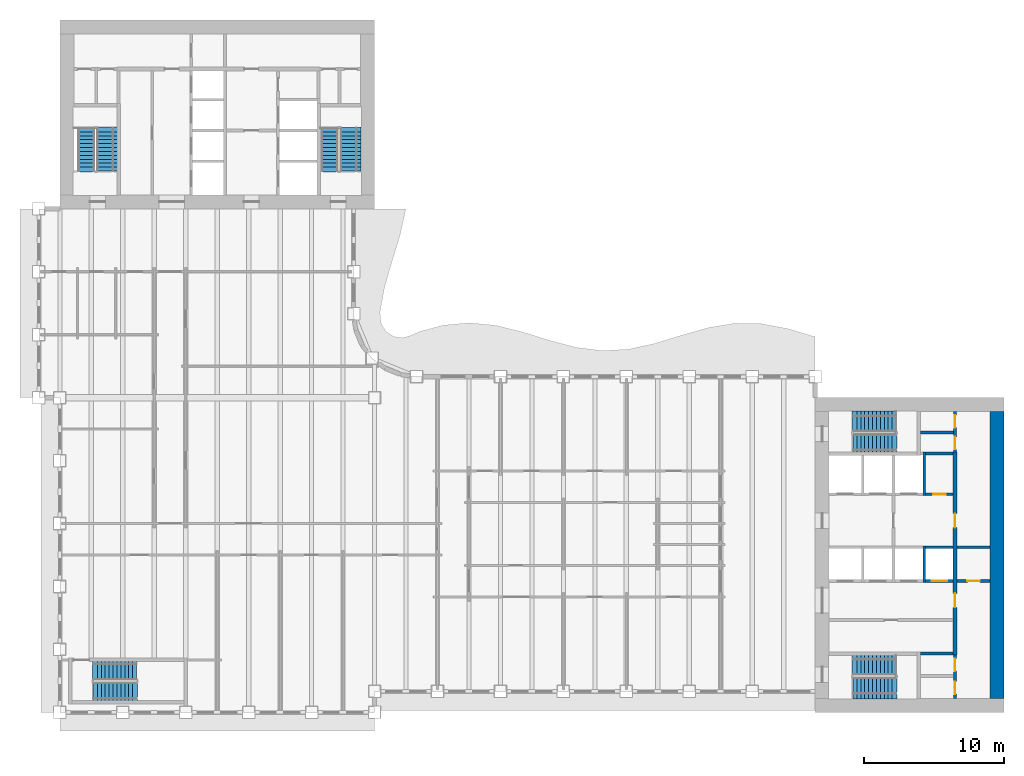
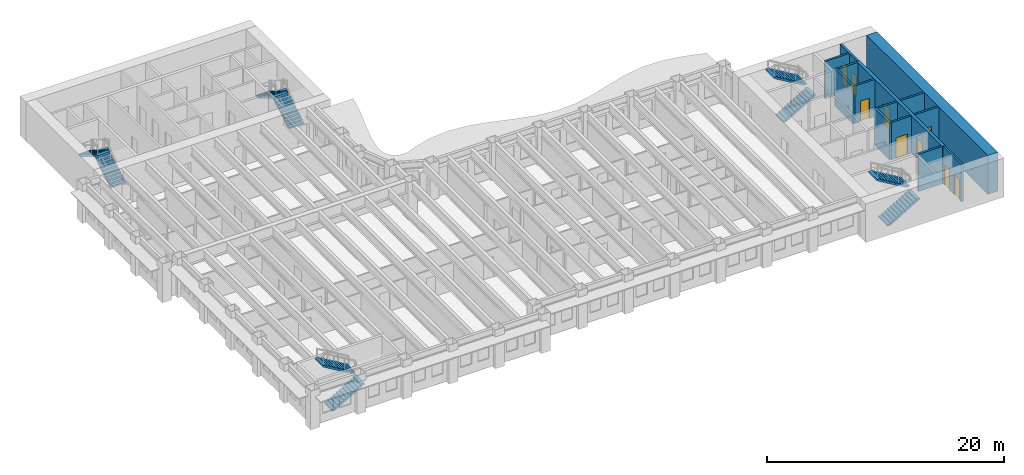
# One storey, part 10 of 16: 14 walls, 10 stair flights, 9 doors, 9 openings, 5 elements without a shape of their own.
"""IFC4 building model written with IfcOpenShell, lengths in metres."""

from ifc_helpers import new_model, si_unit, direction, frame, frame_2d, origin, place, context, subcontext, project, spatial, polyline, rectangle, outline, extrude, material, layer, layer_set, type_object, element, fill, aggregate, save


model = new_model("IFC4")

# Units and contexts
model_context = context("Model", 3, precision=1e-05, world=origin(), true_north=direction((0.0, 1.0)))
body_context = subcontext(model_context, "Body", "Model", "MODEL_VIEW")
ifc_project = project(units=[si_unit("LENGTHUNIT", "METRE"), si_unit("AREAUNIT", "SQUARE_METRE"), si_unit("VOLUMEUNIT", "CUBIC_METRE"), si_unit("PLANEANGLEUNIT", "RADIAN"), si_unit("MASSUNIT", "GRAM", prefix="KILO")], contexts=[model_context])

# Site, building, storey
site_placement = place(None, origin())
site = spatial("IfcSite", under=ifc_project, at=site_placement, CompositionType="ELEMENT")
building_placement = place(site_placement, origin())
building = spatial("IfcBuilding", under=site, at=building_placement, Name="Sennacour Bend Tower", CompositionType="ELEMENT")
storey_placement = place(building_placement, frame((0.0, 0.0, 175.0)))
storey = spatial("IfcBuildingStorey", under=building, at=storey_placement, Name="L40", CompositionType="ELEMENT", Elevation=175.0)

# Wall
ifc_material_1 = material(Name="Concrete C60/75", Category="concrete")
ifc_layer_1 = layer(ifc_material_1, 1.0, Name="Concrete C60/75", Category="concrete")
ifc_layer_set_1 = layer_set([ifc_layer_1], Name="Concrete C60/75")
wall_type_1 = type_object("IfcWallType", Name="Core wall 1000 C60/75", PredefinedType="SHEAR", material=ifc_layer_set_1)
wall_1_placement = place(storey_placement, frame((67.0, 1.0, -0.14990234375), z_axis=(0.0, 0.0, 1.0), x_axis=(0.0, 1.0, 0.0)))
element("IfcWall", 1, at=wall_1_placement, inside=storey, type_object=wall_type_1, Name="Core A wall L40 E", PredefinedType="SHEAR", context=body_context, shape_type="SweptSolid", body=[
    extrude(rectangle(XDim=20.5, YDim=1.0, at=frame_2d((10.25, 0.0))), origin(), (0.0, 0.0, 1.0), 4.0),
])

# Wall, openings, doors
ifc_material_2 = material(Name="Fire-rated plasterboard partition on steel studs", Category="steel")
ifc_layer_2 = layer(ifc_material_2, 0.199951171875, Name="Fire-rated plasterboard partition on steel studs", Category="steel")
ifc_layer_set_2 = layer_set([ifc_layer_2], Name="Fire-rated plasterboard partition on steel studs")
wall_type_2 = type_object("IfcWallType", Name="Rated partition 200", PredefinedType="PARTITIONING", material=ifc_layer_set_2)
wall_2_placement = place(storey_placement, frame((64.0, 1.0, 0.0), z_axis=(0.0, 0.0, 1.0), x_axis=(0.0, 1.0, 0.0)))
wall_2 = element("IfcWall", 2, at=wall_2_placement, inside=storey, type_object=wall_type_2, Name="P-L40-W047", PredefinedType="PARTITIONING", context=body_context, shape_type="SweptSolid", body=[
    extrude(rectangle(XDim=3.10009765625, YDim=0.199951171875, at=frame_2d((1.550048828125, 0.0))), origin(), (0.0, 0.0, 1.0), 3.85009765625),
])
opening_1_placement = place(wall_2_placement, frame((0.300048828125, 0.0, 0.0)))
opening_1 = element("IfcOpeningElement", 3, at=opening_1_placement, cuts=wall_2, Name="Opening SV", PredefinedType="OPENING", context=body_context, shape_type="SweptSolid", body=[
    extrude(rectangle(XDim=0.89990234375, YDim=2.10009765625, at=frame_2d((0.449951171875, 1.050048828125))), frame((0.0, 0.10986328125, 0.0), z_axis=(0.0, -1.0, 0.0), x_axis=(1.0, 0.0, 0.0)), (0.0, 0.0, 1.0), 0.219970703125),
])
opening_2_placement = place(wall_2_placement, frame((1.949951171875, 0.0, 0.0)))
opening_2 = element("IfcOpeningElement", 4, at=opening_2_placement, cuts=wall_2, Name="Opening WD", PredefinedType="OPENING", context=body_context, shape_type="SweptSolid", body=[
    extrude(rectangle(XDim=0.89990234375, YDim=2.10009765625, at=frame_2d((0.449951171875, 1.050048828125))), frame((0.0, 0.10986328125, 0.0), z_axis=(0.0, -1.0, 0.0), x_axis=(1.0, 0.0, 0.0)), (0.0, 0.0, 1.0), 0.219970703125),
])
ifc_material_3 = material(Name="Painted steel", Category="steel")
door_type_1 = type_object("IfcDoorType", Name="DR-SERVICE-900", OperationType="NOTDEFINED", PredefinedType="DOOR", material=ifc_material_3)
door_1_placement = place(opening_1_placement, origin())
door_1 = element("IfcDoor", 5, at=door_1_placement, inside=storey, type_object=door_type_1, Name="Door", OperationType="SINGLE_SWING_LEFT", OverallHeight=2.10009765625, OverallWidth=0.89990234375, PredefinedType="DOOR", context=body_context, shape_type="SweptSolid", body=[
    extrude(rectangle(XDim=0.89990234375, YDim=2.10009765625, at=frame_2d((0.449951171875, 1.050048828125))), frame((0.0, 0.02490234375, 0.0), z_axis=(0.0, -1.0, 0.0), x_axis=(1.0, 0.0, 0.0)), (0.0, 0.0, 1.0), 0.050048828125),
])
fill(opening_1, door_1)
ifc_material_4 = material(Name="Timber", Category="wood")
door_type_2 = type_object("IfcDoorType", Name="DR-WC-900", OperationType="NOTDEFINED", PredefinedType="DOOR", material=ifc_material_4)
door_2_placement = place(opening_2_placement, origin())
door_2 = element("IfcDoor", 6, at=door_2_placement, inside=storey, type_object=door_type_2, Name="Door", OperationType="SINGLE_SWING_RIGHT", OverallHeight=2.10009765625, OverallWidth=0.89990234375, PredefinedType="DOOR", context=body_context, shape_type="SweptSolid", body=[
    extrude(rectangle(XDim=0.89990234375, YDim=2.10009765625, at=frame_2d((0.449951171875, 1.050048828125))), frame((0.0, 0.02490234375, 0.0), z_axis=(0.0, -1.0, 0.0), x_axis=(1.0, 0.0, 0.0)), (0.0, 0.0, 1.0), 0.050048828125),
])
fill(opening_2, door_2)

wall_3_placement = place(storey_placement, frame((64.0, 18.60009765625, 0.0), z_axis=(0.0, 0.0, 1.0), x_axis=(0.0, 1.0, 0.0)))
wall_3 = element("IfcWall", 7, at=wall_3_placement, inside=storey, type_object=wall_type_2, Name="P-L40-W049", PredefinedType="PARTITIONING", context=body_context, shape_type="SweptSolid", body=[
    extrude(rectangle(XDim=2.89990234375, YDim=0.199951171875, at=frame_2d((1.449951171875, 0.0))), origin(), (0.0, 0.0, 1.0), 3.85009765625),
])
opening_3_placement = place(wall_3_placement, frame((0.199951171875, 0.0, 0.0)))
opening_3 = element("IfcOpeningElement", 8, at=opening_3_placement, cuts=wall_3, Name="Opening SV", PredefinedType="OPENING", context=body_context, shape_type="SweptSolid", body=[
    extrude(rectangle(XDim=0.89990234375, YDim=2.10009765625, at=frame_2d((0.449951171875, 1.050048828125))), frame((0.0, 0.10986328125, 0.0), z_axis=(0.0, -1.0, 0.0), x_axis=(1.0, 0.0, 0.0)), (0.0, 0.0, 1.0), 0.219970703125),
])
opening_4_placement = place(wall_3_placement, frame((1.75, 0.0, 0.0)))
opening_4 = element("IfcOpeningElement", 9, at=opening_4_placement, cuts=wall_3, Name="Opening SV", PredefinedType="OPENING", context=body_context, shape_type="SweptSolid", body=[
    extrude(rectangle(XDim=0.89990234375, YDim=2.10009765625, at=frame_2d((0.449951171875, 1.050048828125))), frame((0.0, 0.10986328125, 0.0), z_axis=(0.0, -1.0, 0.0), x_axis=(1.0, 0.0, 0.0)), (0.0, 0.0, 1.0), 0.219970703125),
])
door_3_placement = place(opening_3_placement, origin())
door_3 = element("IfcDoor", 10, at=door_3_placement, inside=storey, type_object=door_type_1, Name="Door", OperationType="SINGLE_SWING_LEFT", OverallHeight=2.10009765625, OverallWidth=0.89990234375, PredefinedType="DOOR", context=body_context, shape_type="SweptSolid", body=[
    extrude(rectangle(XDim=0.89990234375, YDim=2.10009765625, at=frame_2d((0.449951171875, 1.050048828125))), frame((0.0, 0.02490234375, 0.0), z_axis=(0.0, -1.0, 0.0), x_axis=(1.0, 0.0, 0.0)), (0.0, 0.0, 1.0), 0.050048828125),
])
fill(opening_3, door_3)
door_4_placement = place(opening_4_placement, origin())
door_4 = element("IfcDoor", 11, at=door_4_placement, inside=storey, type_object=door_type_1, Name="Door", OperationType="SINGLE_SWING_RIGHT", OverallHeight=2.10009765625, OverallWidth=0.89990234375, PredefinedType="DOOR", context=body_context, shape_type="SweptSolid", body=[
    extrude(rectangle(XDim=0.89990234375, YDim=2.10009765625, at=frame_2d((0.449951171875, 1.050048828125))), frame((0.0, 0.02490234375, 0.0), z_axis=(0.0, -1.0, 0.0), x_axis=(1.0, 0.0, 0.0)), (0.0, 0.0, 1.0), 0.050048828125),
])
fill(opening_4, door_4)

# Wall
wall_4_placement = place(storey_placement, frame((61.52490234375, 4.199951171875, 0.0), z_axis=(0.0, 0.0, 1.0), x_axis=(1.0, 0.0, 0.0)))
element("IfcWall", 12, at=wall_4_placement, inside=storey, type_object=wall_type_2, Name="P-L40-W058", PredefinedType="PARTITIONING", context=body_context, shape_type="SweptSolid", body=[
    extrude(rectangle(XDim=2.3251953125, YDim=0.199951171875, at=frame_2d((1.16259765625, 0.0))), origin(), (0.0, 0.0, 1.0), 3.85009765625),
])

# Wall, opening, door
wall_5_placement = place(storey_placement, frame((64.14990234375, 9.39990234375, 0.0), z_axis=(0.0, 0.0, 1.0), x_axis=(1.0, 0.0, 0.0)))
wall_5 = element("IfcWall", 13, at=wall_5_placement, inside=storey, type_object=wall_type_2, Name="P-L40-W062", PredefinedType="PARTITIONING", context=body_context, shape_type="SweptSolid", body=[
    extrude(rectangle(XDim=2.35009765625, YDim=0.199951171875, at=frame_2d((1.175048828125, 0.0))), origin(), (0.0, 0.0, 1.0), 3.85009765625),
])
opening_5_placement = place(wall_5_placement, frame((0.72509765625, 0.0, 0.0)))
opening_5 = element("IfcOpeningElement", 14, at=opening_5_placement, cuts=wall_5, Name="Opening SV", PredefinedType="OPENING", context=body_context, shape_type="SweptSolid", body=[
    extrude(rectangle(XDim=0.89990234375, YDim=2.10009765625, at=frame_2d((0.449951171875, 1.050048828125))), frame((0.0, 0.10986328125, 0.0), z_axis=(0.0, -1.0, 0.0), x_axis=(1.0, 0.0, 0.0)), (0.0, 0.0, 1.0), 0.219970703125),
])
door_5_placement = place(opening_5_placement, origin())
door_5 = element("IfcDoor", 15, at=door_5_placement, inside=storey, type_object=door_type_1, Name="Door", OperationType="SINGLE_SWING_LEFT", OverallHeight=2.10009765625, OverallWidth=0.89990234375, PredefinedType="DOOR", context=body_context, shape_type="SweptSolid", body=[
    extrude(rectangle(XDim=0.89990234375, YDim=2.10009765625, at=frame_2d((0.449951171875, 1.050048828125))), frame((0.0, 0.02490234375, 0.0), z_axis=(0.0, -1.0, 0.0), x_axis=(1.0, 0.0, 0.0)), (0.0, 0.0, 1.0), 0.050048828125),
])
fill(opening_5, door_5)

# Wall
wall_6_placement = place(storey_placement, frame((64.14990234375, 11.800048828125, 0.0), z_axis=(0.0, 0.0, 1.0), x_axis=(1.0, 0.0, 0.0)))
element("IfcWall", 16, at=wall_6_placement, inside=storey, type_object=wall_type_2, Name="P-L40-W066", PredefinedType="PARTITIONING", context=body_context, shape_type="SweptSolid", body=[
    extrude(rectangle(XDim=2.35009765625, YDim=0.199951171875, at=frame_2d((1.175048828125, 0.0))), origin(), (0.0, 0.0, 1.0), 3.85009765625),
])

# Wall, opening, door
wall_7_placement = place(storey_placement, frame((61.89990234375, 15.60009765625, 0.0), z_axis=(0.0, 0.0, 1.0), x_axis=(1.0, 0.0, 0.0)))
wall_7 = element("IfcWall", 17, at=wall_7_placement, inside=storey, type_object=wall_type_2, Name="P-L40-W072", PredefinedType="PARTITIONING", context=body_context, shape_type="SweptSolid", body=[
    extrude(rectangle(XDim=1.9501953125, YDim=0.199951171875, at=frame_2d((0.97509765625, 0.0))), origin(), (0.0, 0.0, 1.0), 3.85009765625),
])
opening_6_placement = place(wall_7_placement, frame((0.525146484375, 0.0, 0.0)))
opening_6 = element("IfcOpeningElement", 18, at=opening_6_placement, cuts=wall_7, Name="Opening SV", PredefinedType="OPENING", context=body_context, shape_type="SweptSolid", body=[
    extrude(rectangle(XDim=0.89990234375, YDim=2.10009765625, at=frame_2d((0.449951171875, 1.050048828125))), frame((0.0, 0.10986328125, 0.0), z_axis=(0.0, -1.0, 0.0), x_axis=(1.0, 0.0, 0.0)), (0.0, 0.0, 1.0), 0.219970703125),
])
door_6_placement = place(opening_6_placement, origin())
door_6 = element("IfcDoor", 19, at=door_6_placement, inside=storey, type_object=door_type_1, Name="Door", OperationType="SINGLE_SWING_LEFT", OverallHeight=2.10009765625, OverallWidth=0.89990234375, PredefinedType="DOOR", context=body_context, shape_type="SweptSolid", body=[
    extrude(rectangle(XDim=0.89990234375, YDim=2.10009765625, at=frame_2d((0.449951171875, 1.050048828125))), frame((0.0, 0.02490234375, 0.0), z_axis=(0.0, -1.0, 0.0), x_axis=(1.0, 0.0, 0.0)), (0.0, 0.0, 1.0), 0.050048828125),
])
fill(opening_6, door_6)

# Walls
wall_8_placement = place(storey_placement, frame((61.89990234375, 18.5, 0.0), z_axis=(0.0, 0.0, 1.0), x_axis=(1.0, 0.0, 0.0)))
element("IfcWall", 20, at=wall_8_placement, inside=storey, type_object=wall_type_2, Name="P-L40-W076", PredefinedType="PARTITIONING", context=body_context, shape_type="SweptSolid", body=[
    extrude(rectangle(XDim=1.9501953125, YDim=0.199951171875, at=frame_2d((0.97509765625, 0.0))), origin(), (0.0, 0.0, 1.0), 3.85009765625),
])
wall_9_placement = place(storey_placement, frame((61.52490234375, 20.0, 0.0), z_axis=(0.0, 0.0, 1.0), x_axis=(1.0, 0.0, 0.0)))
element("IfcWall", 21, at=wall_9_placement, inside=storey, type_object=wall_type_2, Name="P-L40-W077", PredefinedType="PARTITIONING", context=body_context, shape_type="SweptSolid", body=[
    extrude(rectangle(XDim=2.375, YDim=0.199951171875, at=frame_2d((1.1875, 0.0))), origin(), (0.0, 0.0, 1.0), 3.85009765625),
])
ifc_material_5 = material(Name="Concrete C50/60", Category="concrete")
ifc_layer_3 = layer(ifc_material_5, 0.199951171875, Name="Concrete C50/60", Category="concrete")
ifc_layer_set_3 = layer_set([ifc_layer_3], Name="Concrete C50/60")
wall_type_3 = type_object("IfcWallType", Name="Shaft wall 200", PredefinedType="SOLIDWALL", material=ifc_layer_set_3)
wall_10_placement = place(storey_placement, frame((61.800048828125, 9.300048828125, 0.0), z_axis=(0.0, 0.0, 1.0), x_axis=(0.0, 1.0, 0.0)))
element("IfcWall", 22, at=wall_10_placement, inside=storey, type_object=wall_type_3, Name="P-L40-W045", PredefinedType="SOLIDWALL", context=body_context, shape_type="SweptSolid", body=[
    extrude(rectangle(XDim=2.599853515625, YDim=0.199951171875, at=frame_2d((1.2998046875, 0.0))), origin(), (0.0, 0.0, 1.0), 3.85009765625),
])
wall_11_placement = place(storey_placement, frame((61.800048828125, 15.5, 0.0), z_axis=(0.0, 0.0, 1.0), x_axis=(0.0, 1.0, 0.0)))
element("IfcWall", 23, at=wall_11_placement, inside=storey, type_object=wall_type_3, Name="P-L40-W046", PredefinedType="SOLIDWALL", context=body_context, shape_type="SweptSolid", body=[
    extrude(rectangle(XDim=3.10009765625, YDim=0.199951171875, at=frame_2d((1.550048828125, 0.0))), origin(), (0.0, 0.0, 1.0), 3.85009765625),
])

# Wall, opening, door
wall_12_placement = place(storey_placement, frame((61.89990234375, 9.39990234375, 0.0), z_axis=(0.0, 0.0, 1.0), x_axis=(1.0, 0.0, 0.0)))
wall_12 = element("IfcWall", 24, at=wall_12_placement, inside=storey, type_object=wall_type_3, Name="P-L40-W061d", PredefinedType="SOLIDWALL", context=body_context, shape_type="SweptSolid", body=[
    extrude(rectangle(XDim=1.9501953125, YDim=0.199951171875, at=frame_2d((0.97509765625, 0.0))), origin(), (0.0, 0.0, 1.0), 3.85009765625),
])
opening_7_placement = place(wall_12_placement, frame((0.425048828125, 0.0, 0.011962890625)))
opening_7 = element("IfcOpeningElement", 25, at=opening_7_placement, cuts=wall_12, Name="Opening LD", PredefinedType="OPENING", context=body_context, shape_type="SweptSolid", body=[
    extrude(rectangle(XDim=1.10009765625, YDim=2.10009765625, at=frame_2d((0.550048828125, 1.050048828125))), frame((0.0, 0.10986328125, 0.0), z_axis=(0.0, -1.0, 0.0), x_axis=(1.0, 0.0, 0.0)), (0.0, 0.0, 1.0), 0.219970703125),
])
ifc_material_6 = material(Name="Stainless steel", Category="steel")
door_type_3 = type_object("IfcDoorType", Name="DR-LANDING-1100", OperationType="NOTDEFINED", PredefinedType="DOOR", material=ifc_material_6)
door_7_placement = place(opening_7_placement, origin())
door_7 = element("IfcDoor", 26, at=door_7_placement, inside=storey, type_object=door_type_3, Name="Lift landing door HA4", OperationType="SLIDING_TO_RIGHT", OverallHeight=2.10009765625, OverallWidth=1.10009765625, PredefinedType="DOOR", context=body_context, shape_type="SweptSolid", body=[
    extrude(rectangle(XDim=1.10009765625, YDim=2.10009765625, at=frame_2d((0.550048828125, 1.050048828125))), frame((0.0, 0.02490234375, 0.0), z_axis=(0.0, -1.0, 0.0), x_axis=(1.0, 0.0, 0.0)), (0.0, 0.0, 1.0), 0.050048828125),
])
fill(opening_7, door_7)

# Wall
wall_13_placement = place(storey_placement, frame((61.89990234375, 11.800048828125, 0.0), z_axis=(0.0, 0.0, 1.0), x_axis=(1.0, 0.0, 0.0)))
element("IfcWall", 27, at=wall_13_placement, inside=storey, type_object=wall_type_3, Name="P-L40-W065d", PredefinedType="SOLIDWALL", context=body_context, shape_type="SweptSolid", body=[
    extrude(rectangle(XDim=1.9501953125, YDim=0.199951171875, at=frame_2d((0.97509765625, 0.0))), origin(), (0.0, 0.0, 1.0), 3.85009765625),
])

# Wall, openings, doors
ifc_layer_4 = layer(ifc_material_1, 0.300048828125, Name="Concrete C60/75", Category="concrete")
ifc_layer_set_4 = layer_set([ifc_layer_4], Name="Concrete C60/75")
wall_type_4 = type_object("IfcWallType", Name="Spine wall 300", PredefinedType="SHEAR", material=ifc_layer_set_4)
wall_14_placement = place(storey_placement, frame((64.0, 4.10009765625, 0.0), z_axis=(0.0, 0.0, 1.0), x_axis=(0.0, 1.0, 0.0)))
wall_14 = element("IfcWall", 28, at=wall_14_placement, inside=storey, type_object=wall_type_4, Name="P-L40-W048", PredefinedType="SHEAR", context=body_context, shape_type="SweptSolid", body=[
    extrude(rectangle(XDim=14.5, YDim=0.300048828125, at=frame_2d((7.25, 0.0))), origin(), (0.0, 0.0, 1.0), 3.85009765625),
])
opening_8_placement = place(wall_14_placement, frame((3.39990234375, 0.0, 0.0)))
opening_8 = element("IfcOpeningElement", 29, at=opening_8_placement, cuts=wall_14, Name="Opening CD2", PredefinedType="OPENING", context=body_context, shape_type="SweptSolid", body=[
    extrude(rectangle(XDim=1.0, YDim=2.10009765625, at=frame_2d((0.5, 1.050048828125))), frame((0.0, 0.16015625, 0.0), z_axis=(0.0, -1.0, 0.0), x_axis=(1.0, 0.0, 0.0)), (0.0, 0.0, 1.0), 0.320068359375),
])
opening_9_placement = place(wall_14_placement, frame((9.099853515625, 0.0, 0.0)))
opening_9 = element("IfcOpeningElement", 30, at=opening_9_placement, cuts=wall_14, Name="Opening CD2", PredefinedType="OPENING", context=body_context, shape_type="SweptSolid", body=[
    extrude(rectangle(XDim=1.0, YDim=2.10009765625, at=frame_2d((0.5, 1.050048828125))), frame((0.0, 0.16015625, 0.0), z_axis=(0.0, -1.0, 0.0), x_axis=(1.0, 0.0, 0.0)), (0.0, 0.0, 1.0), 0.320068359375),
])
door_type_4 = type_object("IfcDoorType", Name="DR-LOBBY-1000", OperationType="NOTDEFINED", PredefinedType="DOOR", material=ifc_material_3)
door_8_placement = place(opening_8_placement, origin())
door_8 = element("IfcDoor", 31, at=door_8_placement, inside=storey, type_object=door_type_4, Name="Door", OperationType="SINGLE_SWING_LEFT", OverallHeight=2.10009765625, OverallWidth=1.0, PredefinedType="DOOR", context=body_context, shape_type="SweptSolid", body=[
    extrude(rectangle(XDim=1.0, YDim=2.10009765625, at=frame_2d((0.5, 1.050048828125))), frame((0.0, 0.02490234375, 0.0), z_axis=(0.0, -1.0, 0.0), x_axis=(1.0, 0.0, 0.0)), (0.0, 0.0, 1.0), 0.050048828125),
])
fill(opening_8, door_8)
door_9_placement = place(opening_9_placement, origin())
door_9 = element("IfcDoor", 32, at=door_9_placement, inside=storey, type_object=door_type_4, Name="Door", OperationType="SINGLE_SWING_RIGHT", OverallHeight=2.10009765625, OverallWidth=1.0, PredefinedType="DOOR", context=body_context, shape_type="SweptSolid", body=[
    extrude(rectangle(XDim=1.0, YDim=2.10009765625, at=frame_2d((0.5, 1.050048828125))), frame((0.0, 0.02490234375, 0.0), z_axis=(0.0, -1.0, 0.0), x_axis=(1.0, 0.0, 0.0)), (0.0, 0.0, 1.0), 0.050048828125),
])
fill(opening_9, door_9)

# Stair, stair flights
ifc_material_7 = material(Name="Concrete C40/50", Category="concrete")
stair_type = type_object("IfcStairType", Name="ST-DOGLEG", PredefinedType="HALF_TURN_STAIR", material=ifc_material_7)
stair_1_placement = place(storey_placement, origin())
stair_1 = element("IfcStair", 33, at=stair_1_placement, inside=storey, type_object=stair_type, Name="L40 Exit stair A1", PredefinedType="HALF_TURN_STAIR")
stair_flight_type = type_object("IfcStairFlightType", Name="SFL-RC", PredefinedType="STRAIGHT", material=ifc_material_7)
stair_flight_1_placement = place(storey_placement, frame((56.699951171875, 1.735107421875, 0.0), z_axis=(0.0, 0.0, 1.0), x_axis=(1.0, 0.0, 0.0)))
stair_flight_1 = element("IfcStairFlight", 34, at=stair_flight_1_placement, type_object=stair_flight_type, Name="SA1 flight 1", NumberOfRisers=12, NumberOfTreads=11, PredefinedType="STRAIGHT", RiserHeight=0.166666667, TreadLength=0.28, context=body_context, shape_type="SweptSolid", body=[
    extrude(outline(polyline([(0.0, 0.0), (0.0, 0.166748046875), (0.280029296875, 0.166748046875), (0.280029296875, 0.333251953125), (0.56005859375, 0.333251953125), (0.56005859375, 0.5), (0.840087890625, 0.5), (0.840087890625, 0.666748046875), (1.1201171875, 0.666748046875), (1.1201171875, 0.833251953125), (1.39990234375, 0.833251953125), (1.39990234375, 1.0), (1.679931640625, 1.0), (1.679931640625, 1.166748046875), (1.9599609375, 1.166748046875), (1.9599609375, 1.333251953125), (2.239990234375, 1.333251953125), (2.239990234375, 1.5), (2.52001953125, 1.5), (2.52001953125, 1.666748046875), (2.800048828125, 1.666748046875), (2.800048828125, 1.833251953125), (3.080078125, 1.833251953125), (3.139892578125, 1.833251953125), (3.139892578125, 1.658935546875), (3.080078125, 1.658935546875), (0.29296875, 0.0), (0.0, 0.0)])), frame((0.0, 0.76513671875, 0.0), z_axis=(0.0, -1.0, 0.0), x_axis=(1.0, 0.0, 0.0)), (0.0, 0.0, 1.0), 1.530029296875),
])
stair_flight_2_placement = place(storey_placement, frame((59.780029296875, 3.37744140625, 2.0), z_axis=(0.0, 0.0, 1.0), x_axis=(-1.0, 0.0, 0.0)))
stair_flight_2 = element("IfcStairFlight", 35, at=stair_flight_2_placement, type_object=stair_flight_type, Name="SA1 flight 2", NumberOfRisers=12, NumberOfTreads=11, PredefinedType="STRAIGHT", RiserHeight=0.166666667, TreadLength=0.28, context=body_context, shape_type="SweptSolid", body=[
    extrude(outline(polyline([(0.0, 0.0), (0.0, 0.166748046875), (0.280029296875, 0.166748046875), (0.280029296875, 0.333251953125), (0.56005859375, 0.333251953125), (0.56005859375, 0.5), (0.840087890625, 0.5), (0.840087890625, 0.666748046875), (1.1201171875, 0.666748046875), (1.1201171875, 0.833251953125), (1.39990234375, 0.833251953125), (1.39990234375, 1.0), (1.679931640625, 1.0), (1.679931640625, 1.166748046875), (1.9599609375, 1.166748046875), (1.9599609375, 1.333251953125), (2.239990234375, 1.333251953125), (2.239990234375, 1.5), (2.52001953125, 1.5), (2.52001953125, 1.666748046875), (2.800048828125, 1.666748046875), (2.800048828125, 1.833251953125), (3.080078125, 1.833251953125), (3.139892578125, 1.833251953125), (3.139892578125, 1.658935546875), (3.080078125, 1.658935546875), (0.29296875, 0.0), (0.0, 0.0)])), frame((0.0, 0.7275390625, 0.0), z_axis=(0.0, -1.0, 0.0), x_axis=(1.0, 0.0, 0.0)), (0.0, 0.0, 1.0), 1.455078125),
])
aggregate(stair_1, [stair_flight_1, stair_flight_2])

stair_2_placement = place(storey_placement, origin())
stair_2 = element("IfcStair", 36, at=stair_2_placement, inside=storey, type_object=stair_type, Name="L40 Exit stair A2", PredefinedType="HALF_TURN_STAIR")
stair_flight_3_placement = place(storey_placement, frame((56.699951171875, 19.24755859375, 0.0), z_axis=(0.0, 0.0, 1.0), x_axis=(1.0, 0.0, 0.0)))
stair_flight_3 = element("IfcStairFlight", 37, at=stair_flight_3_placement, type_object=stair_flight_type, Name="SA2 flight 1", NumberOfRisers=12, NumberOfTreads=11, PredefinedType="STRAIGHT", RiserHeight=0.166666667, TreadLength=0.28, context=body_context, shape_type="SweptSolid", body=[
    extrude(outline(polyline([(0.0, 0.0), (0.0, 0.166748046875), (0.280029296875, 0.166748046875), (0.280029296875, 0.333251953125), (0.56005859375, 0.333251953125), (0.56005859375, 0.5), (0.840087890625, 0.5), (0.840087890625, 0.666748046875), (1.1201171875, 0.666748046875), (1.1201171875, 0.833251953125), (1.39990234375, 0.833251953125), (1.39990234375, 1.0), (1.679931640625, 1.0), (1.679931640625, 1.166748046875), (1.9599609375, 1.166748046875), (1.9599609375, 1.333251953125), (2.239990234375, 1.333251953125), (2.239990234375, 1.5), (2.52001953125, 1.5), (2.52001953125, 1.666748046875), (2.800048828125, 1.666748046875), (2.800048828125, 1.833251953125), (3.080078125, 1.833251953125), (3.139892578125, 1.833251953125), (3.139892578125, 1.658935546875), (3.080078125, 1.658935546875), (0.29296875, 0.0), (0.0, 0.0)])), frame((0.0, 0.65234375, 0.0), z_axis=(0.0, -1.0, 0.0), x_axis=(1.0, 0.0, 0.0)), (0.0, 0.0, 1.0), 1.304931640625),
])
stair_flight_4_placement = place(storey_placement, frame((59.780029296875, 20.7900390625, 2.0), z_axis=(0.0, 0.0, 1.0), x_axis=(-1.0, 0.0, 0.0)))
stair_flight_4 = element("IfcStairFlight", 38, at=stair_flight_4_placement, type_object=stair_flight_type, Name="SA2 flight 2", NumberOfRisers=12, NumberOfTreads=11, PredefinedType="STRAIGHT", RiserHeight=0.166666667, TreadLength=0.28, context=body_context, shape_type="SweptSolid", body=[
    extrude(outline(polyline([(0.0, 0.0), (0.0, 0.166748046875), (0.280029296875, 0.166748046875), (0.280029296875, 0.333251953125), (0.56005859375, 0.333251953125), (0.56005859375, 0.5), (0.840087890625, 0.5), (0.840087890625, 0.666748046875), (1.1201171875, 0.666748046875), (1.1201171875, 0.833251953125), (1.39990234375, 0.833251953125), (1.39990234375, 1.0), (1.679931640625, 1.0), (1.679931640625, 1.166748046875), (1.9599609375, 1.166748046875), (1.9599609375, 1.333251953125), (2.239990234375, 1.333251953125), (2.239990234375, 1.5), (2.52001953125, 1.5), (2.52001953125, 1.666748046875), (2.800048828125, 1.666748046875), (2.800048828125, 1.833251953125), (3.080078125, 1.833251953125), (3.139892578125, 1.833251953125), (3.139892578125, 1.658935546875), (3.080078125, 1.658935546875), (0.29296875, 0.0), (0.0, 0.0)])), frame((0.0, 0.739990234375, 0.0), z_axis=(0.0, -1.0, 0.0), x_axis=(1.0, 0.0, 0.0)), (0.0, 0.0, 1.0), 1.47998046875),
])
aggregate(stair_2, [stair_flight_3, stair_flight_4])

stair_3_placement = place(storey_placement, origin())
stair_3 = element("IfcStair", 39, at=stair_3_placement, inside=storey, type_object=stair_type, Name="L40 Exit stair B1", PredefinedType="HALF_TURN_STAIR")
stair_flight_5_placement = place(storey_placement, frame((3.37744140625, 38.699951171875, 0.0), z_axis=(0.0, 0.0, 1.0), x_axis=(0.0, 1.0, 0.0)))
stair_flight_5 = element("IfcStairFlight", 40, at=stair_flight_5_placement, type_object=stair_flight_type, Name="SB1 flight 1", NumberOfRisers=12, NumberOfTreads=11, PredefinedType="STRAIGHT", RiserHeight=0.166666667, TreadLength=0.28, context=body_context, shape_type="SweptSolid", body=[
    extrude(outline(polyline([(0.0, 0.0), (0.0, 0.166748046875), (0.280029296875, 0.166748046875), (0.280029296875, 0.333251953125), (0.56005859375, 0.333251953125), (0.56005859375, 0.5), (0.840087890625, 0.5), (0.840087890625, 0.666748046875), (1.1201171875, 0.666748046875), (1.1201171875, 0.833251953125), (1.39990234375, 0.833251953125), (1.39990234375, 1.0), (1.679931640625, 1.0), (1.679931640625, 1.166748046875), (1.9599609375, 1.166748046875), (1.9599609375, 1.333251953125), (2.239990234375, 1.333251953125), (2.239990234375, 1.5), (2.52001953125, 1.5), (2.52001953125, 1.666748046875), (2.800048828125, 1.666748046875), (2.800048828125, 1.833251953125), (3.080078125, 1.833251953125), (3.139892578125, 1.833251953125), (3.139892578125, 1.658935546875), (3.080078125, 1.658935546875), (0.29296875, 0.0), (0.0, 0.0)])), frame((0.0, 0.7275390625, 0.0), z_axis=(0.0, -1.0, 0.0), x_axis=(1.0, 0.0, 0.0)), (0.0, 0.0, 1.0), 1.455078125),
])
stair_flight_6_placement = place(storey_placement, frame((1.89990234375, 41.780029296875, 2.0), z_axis=(0.0, 0.0, 1.0), x_axis=(0.0, -1.0, 0.0)))
stair_flight_6 = element("IfcStairFlight", 41, at=stair_flight_6_placement, type_object=stair_flight_type, Name="SB1 flight 2", NumberOfRisers=12, NumberOfTreads=11, PredefinedType="STRAIGHT", RiserHeight=0.166666667, TreadLength=0.28, context=body_context, shape_type="SweptSolid", body=[
    extrude(outline(polyline([(0.0, 0.0), (0.0, 0.166748046875), (0.280029296875, 0.166748046875), (0.280029296875, 0.333251953125), (0.56005859375, 0.333251953125), (0.56005859375, 0.5), (0.840087890625, 0.5), (0.840087890625, 0.666748046875), (1.1201171875, 0.666748046875), (1.1201171875, 0.833251953125), (1.39990234375, 0.833251953125), (1.39990234375, 1.0), (1.679931640625, 1.0), (1.679931640625, 1.166748046875), (1.9599609375, 1.166748046875), (1.9599609375, 1.333251953125), (2.239990234375, 1.333251953125), (2.239990234375, 1.5), (2.52001953125, 1.5), (2.52001953125, 1.666748046875), (2.800048828125, 1.666748046875), (2.800048828125, 1.833251953125), (3.080078125, 1.833251953125), (3.139892578125, 1.833251953125), (3.139892578125, 1.658935546875), (3.080078125, 1.658935546875), (0.29296875, 0.0), (0.0, 0.0)])), frame((0.0, 0.60009765625, 0.0), z_axis=(0.0, -1.0, 0.0), x_axis=(1.0, 0.0, 0.0)), (0.0, 0.0, 1.0), 1.199951171875),
])
aggregate(stair_3, [stair_flight_5, stair_flight_6])

stair_4_placement = place(storey_placement, origin())
stair_4 = element("IfcStair", 42, at=stair_4_placement, inside=storey, type_object=stair_type, Name="L40 Exit stair B2", PredefinedType="HALF_TURN_STAIR")
stair_flight_7_placement = place(storey_placement, frame((20.7900390625, 38.699951171875, 0.0), z_axis=(0.0, 0.0, 1.0), x_axis=(0.0, 1.0, 0.0)))
stair_flight_7 = element("IfcStairFlight", 43, at=stair_flight_7_placement, type_object=stair_flight_type, Name="SB2 flight 1", NumberOfRisers=12, NumberOfTreads=11, PredefinedType="STRAIGHT", RiserHeight=0.166666667, TreadLength=0.28, context=body_context, shape_type="SweptSolid", body=[
    extrude(outline(polyline([(0.0, 0.0), (0.0, 0.166748046875), (0.280029296875, 0.166748046875), (0.280029296875, 0.333251953125), (0.56005859375, 0.333251953125), (0.56005859375, 0.5), (0.840087890625, 0.5), (0.840087890625, 0.666748046875), (1.1201171875, 0.666748046875), (1.1201171875, 0.833251953125), (1.39990234375, 0.833251953125), (1.39990234375, 1.0), (1.679931640625, 1.0), (1.679931640625, 1.166748046875), (1.9599609375, 1.166748046875), (1.9599609375, 1.333251953125), (2.239990234375, 1.333251953125), (2.239990234375, 1.5), (2.52001953125, 1.5), (2.52001953125, 1.666748046875), (2.800048828125, 1.666748046875), (2.800048828125, 1.833251953125), (3.080078125, 1.833251953125), (3.139892578125, 1.833251953125), (3.139892578125, 1.658935546875), (3.080078125, 1.658935546875), (0.29296875, 0.0), (0.0, 0.0)])), frame((0.0, 0.739990234375, 0.0), z_axis=(0.0, -1.0, 0.0), x_axis=(1.0, 0.0, 0.0)), (0.0, 0.0, 1.0), 1.47998046875),
])
stair_flight_8_placement = place(storey_placement, frame((19.24755859375, 41.780029296875, 2.0), z_axis=(0.0, 0.0, 1.0), x_axis=(0.0, -1.0, 0.0)))
stair_flight_8 = element("IfcStairFlight", 44, at=stair_flight_8_placement, type_object=stair_flight_type, Name="SB2 flight 2", NumberOfRisers=12, NumberOfTreads=11, PredefinedType="STRAIGHT", RiserHeight=0.166666667, TreadLength=0.28, context=body_context, shape_type="SweptSolid", body=[
    extrude(outline(polyline([(0.0, 0.0), (0.0, 0.166748046875), (0.280029296875, 0.166748046875), (0.280029296875, 0.333251953125), (0.56005859375, 0.333251953125), (0.56005859375, 0.5), (0.840087890625, 0.5), (0.840087890625, 0.666748046875), (1.1201171875, 0.666748046875), (1.1201171875, 0.833251953125), (1.39990234375, 0.833251953125), (1.39990234375, 1.0), (1.679931640625, 1.0), (1.679931640625, 1.166748046875), (1.9599609375, 1.166748046875), (1.9599609375, 1.333251953125), (2.239990234375, 1.333251953125), (2.239990234375, 1.5), (2.52001953125, 1.5), (2.52001953125, 1.666748046875), (2.800048828125, 1.666748046875), (2.800048828125, 1.833251953125), (3.080078125, 1.833251953125), (3.139892578125, 1.833251953125), (3.139892578125, 1.658935546875), (3.080078125, 1.658935546875), (0.29296875, 0.0), (0.0, 0.0)])), frame((0.0, 0.65234375, 0.0), z_axis=(0.0, -1.0, 0.0), x_axis=(1.0, 0.0, 0.0)), (0.0, 0.0, 1.0), 1.304931640625),
])
aggregate(stair_4, [stair_flight_7, stair_flight_8])

stair_5_placement = place(storey_placement, origin())
stair_5 = element("IfcStair", 45, at=stair_5_placement, inside=storey, type_object=stair_type, Name="L40 Exit stair K1", PredefinedType="HALF_TURN_STAIR")
stair_flight_9_placement = place(storey_placement, frame((2.39990234375, 1.485107421875, 0.0), z_axis=(0.0, 0.0, 1.0), x_axis=(1.0, 0.0, 0.0)))
stair_flight_9 = element("IfcStairFlight", 46, at=stair_flight_9_placement, type_object=stair_flight_type, Name="SK1 flight 1", NumberOfRisers=12, NumberOfTreads=11, PredefinedType="STRAIGHT", RiserHeight=0.166666667, TreadLength=0.28, context=body_context, shape_type="SweptSolid", body=[
    extrude(outline(polyline([(0.0, 0.0), (0.0, 0.166748046875), (0.280029296875, 0.166748046875), (0.280029296875, 0.333251953125), (0.56005859375, 0.333251953125), (0.56005859375, 0.5), (0.840087890625, 0.5), (0.840087890625, 0.666748046875), (1.1201171875, 0.666748046875), (1.1201171875, 0.833251953125), (1.39990234375, 0.833251953125), (1.39990234375, 1.0), (1.679931640625, 1.0), (1.679931640625, 1.166748046875), (1.9599609375, 1.166748046875), (1.9599609375, 1.333251953125), (2.239990234375, 1.333251953125), (2.239990234375, 1.5), (2.52001953125, 1.5), (2.52001953125, 1.666748046875), (2.800048828125, 1.666748046875), (2.800048828125, 1.833251953125), (3.080078125, 1.833251953125), (3.139892578125, 1.833251953125), (3.139892578125, 1.658935546875), (3.080078125, 1.658935546875), (0.29296875, 0.0), (0.0, 0.0)])), frame((0.0, 0.6650390625, 0.0), z_axis=(0.0, -1.0, 0.0), x_axis=(1.0, 0.0, 0.0)), (0.0, 0.0, 1.0), 1.330078125),
])
stair_flight_10_placement = place(storey_placement, frame((5.47998046875, 2.9775390625, 2.0), z_axis=(0.0, 0.0, 1.0), x_axis=(-1.0, 0.0, 0.0)))
stair_flight_10 = element("IfcStairFlight", 47, at=stair_flight_10_placement, type_object=stair_flight_type, Name="SK1 flight 2", NumberOfRisers=12, NumberOfTreads=11, PredefinedType="STRAIGHT", RiserHeight=0.166666667, TreadLength=0.28, context=body_context, shape_type="SweptSolid", body=[
    extrude(outline(polyline([(0.0, 0.0), (0.0, 0.166748046875), (0.280029296875, 0.166748046875), (0.280029296875, 0.333251953125), (0.56005859375, 0.333251953125), (0.56005859375, 0.5), (0.840087890625, 0.5), (0.840087890625, 0.666748046875), (1.1201171875, 0.666748046875), (1.1201171875, 0.833251953125), (1.39990234375, 0.833251953125), (1.39990234375, 1.0), (1.679931640625, 1.0), (1.679931640625, 1.166748046875), (1.9599609375, 1.166748046875), (1.9599609375, 1.333251953125), (2.239990234375, 1.333251953125), (2.239990234375, 1.5), (2.52001953125, 1.5), (2.52001953125, 1.666748046875), (2.800048828125, 1.666748046875), (2.800048828125, 1.833251953125), (3.080078125, 1.833251953125), (3.139892578125, 1.833251953125), (3.139892578125, 1.658935546875), (3.080078125, 1.658935546875), (0.29296875, 0.0), (0.0, 0.0)])), frame((0.0, 0.677490234375, 0.0), z_axis=(0.0, -1.0, 0.0), x_axis=(1.0, 0.0, 0.0)), (0.0, 0.0, 1.0), 1.35498046875),
])
aggregate(stair_5, [stair_flight_9, stair_flight_10])

save(model, "model.ifc")
